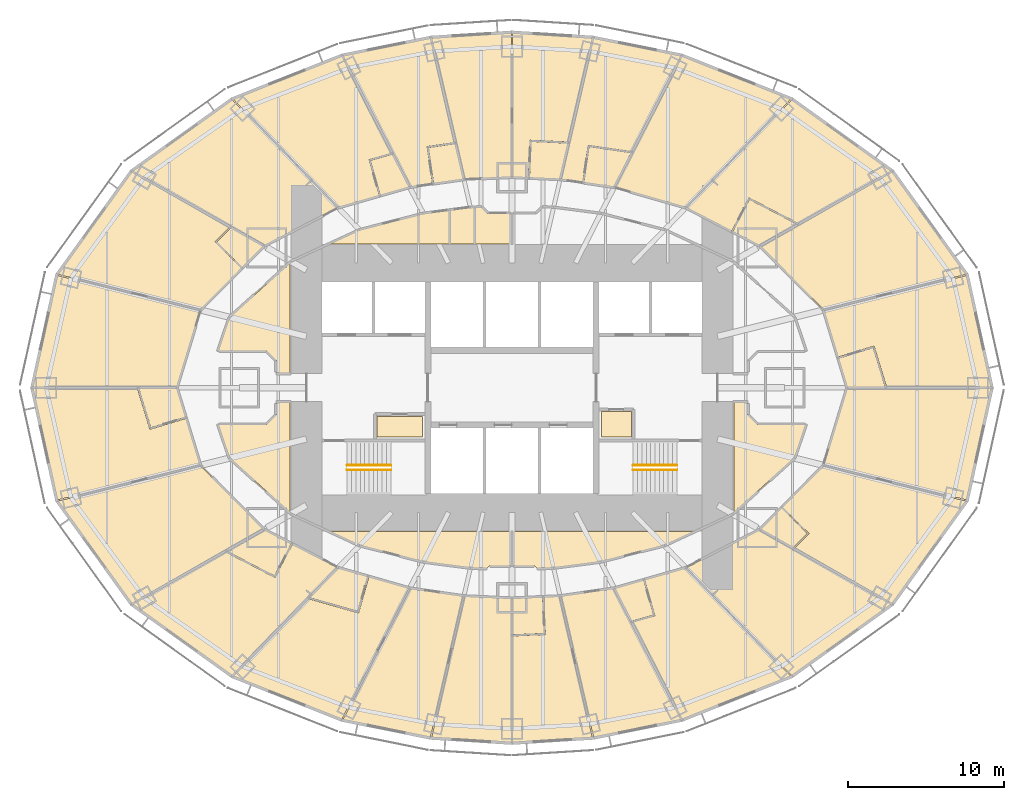
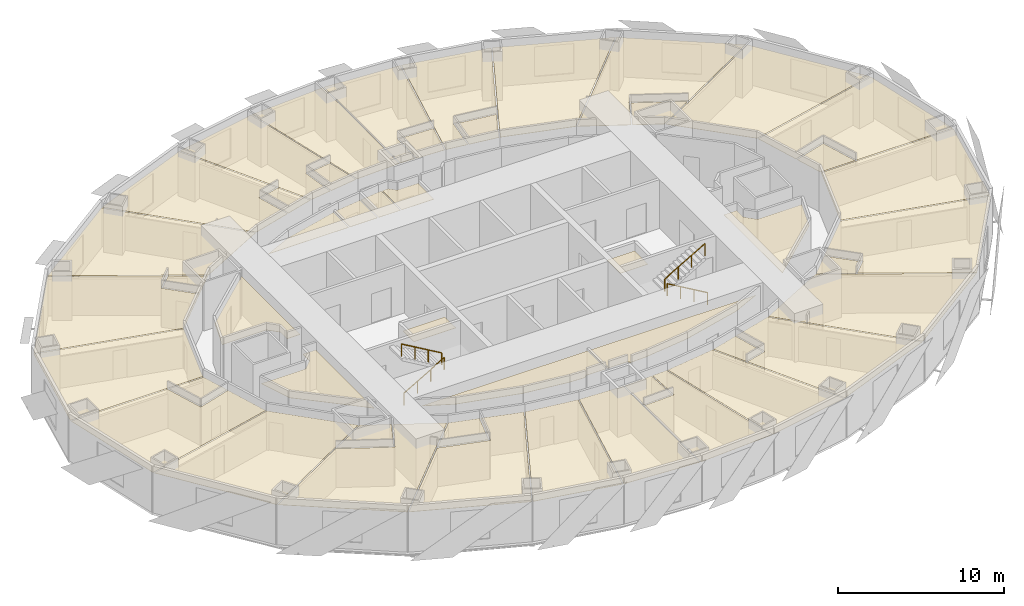
# One storey, part 15 of 15: 48 coverings, 4 railings.
"""IFC4 building model written with IfcOpenShell, lengths in metres."""

from ifc_helpers import new_model, si_unit, direction, frame, origin, origin_2d, place, context, subcontext, project, spatial, polyline, circle, outline, extrude, material, layer, layer_set, type_object, element, save


model = new_model("IFC4")

# Units and contexts
model_context = context("Model", 3, precision=1e-05, world=origin(), true_north=direction((0.0, 1.0)))
body_context = subcontext(model_context, "Body", "Model", "MODEL_VIEW")
ifc_project = project(units=[si_unit("LENGTHUNIT", "METRE"), si_unit("AREAUNIT", "SQUARE_METRE"), si_unit("VOLUMEUNIT", "CUBIC_METRE"), si_unit("PLANEANGLEUNIT", "RADIAN"), si_unit("MASSUNIT", "GRAM", prefix="KILO")], contexts=[model_context])

# Site, building, storey
site_placement = place(None, origin())
site = spatial("IfcSite", under=ifc_project, at=site_placement, CompositionType="ELEMENT")
building_placement = place(site_placement, origin())
building = spatial("IfcBuilding", under=site, at=building_placement, Name="Lantaw Convention Tower", CompositionType="ELEMENT")
storey_placement = place(building_placement, frame((0.0, 0.0, 55.0)))
storey = spatial("IfcBuildingStorey", under=building, at=storey_placement, Name="L11", CompositionType="ELEMENT", Elevation=55.0)

# Railings
ifc_material_1 = material(Name="Stainless steel", Category="steel")
railing_type = type_object("IfcRailingType", Name="Stair handrail", PredefinedType="HANDRAIL", material=ifc_material_1)
railing_1_placement = place(storey_placement, frame((-10.580078125, -5.280029296875, 0.16357421875)))
element("IfcRailing", 1, at=railing_1_placement, inside=storey, type_object=railing_type, Name="Stair handrail S1", PredefinedType="HANDRAIL", context=body_context, shape_type="SweptSolid", body=[
    extrude(circle(Radius=0.02392578125, at=origin_2d()), frame((0.0, 0.0, 0.8759765625), z_axis=(0.863360870873, 0.0, 0.504586966384), x_axis=(0.0, 1.0, 0.0)), (0.0, 0.0, 1.0), 3.2431640625),
    extrude(circle(Radius=0.02099609375, at=origin_2d()), origin(), (0.0, 0.0, 1.0), 0.851806640625),
    extrude(circle(Radius=0.02099609375, at=origin_2d()), frame((0.933349609375, 0.0, 0.54541015625)), (0.0, 0.0, 1.0), 0.851806640625),
    extrude(circle(Radius=0.02099609375, at=origin_2d()), frame((1.86669921875, 0.0, 1.091064453125)), (0.0, 0.0, 1.0), 0.851806640625),
    extrude(circle(Radius=0.02099609375, at=origin_2d()), frame((2.800048828125, 0.0, 1.636474609375)), (0.0, 0.0, 1.0), 0.851806640625),
])
for number, where, name in (
    (2, (-7.780029296875, -4.97998046875, 1.963623046875), "Stair handrail S1"),
    (3, (10.580078125, -5.280029296875, 0.16357421875), "Stair handrail S2"),
):
    element("IfcRailing", number, at=place(storey_placement, frame(where)), inside=storey, type_object=railing_type, Name=name, PredefinedType="HANDRAIL", context=body_context, shape_type="SweptSolid", body=[
        extrude(circle(Radius=0.02392578125, at=origin_2d()), frame((0.0, 0.0, 0.8759765625), z_axis=(-0.863360870873, 0.0, 0.504586966384), x_axis=(0.0, -1.0, 0.0)), (0.0, 0.0, 1.0), 3.2431640625),
        extrude(circle(Radius=0.02099609375, at=origin_2d()), origin(), (0.0, 0.0, 1.0), 0.851806640625),
        extrude(circle(Radius=0.02099609375, at=origin_2d()), frame((-0.933349609375, 0.0, 0.54541015625)), (0.0, 0.0, 1.0), 0.851806640625),
        extrude(circle(Radius=0.02099609375, at=origin_2d()), frame((-1.86669921875, 0.0, 1.091064453125)), (0.0, 0.0, 1.0), 0.851806640625),
        extrude(circle(Radius=0.02099609375, at=origin_2d()), frame((-2.800048828125, 0.0, 1.636474609375)), (0.0, 0.0, 1.0), 0.851806640625),
    ])
railing_2_placement = place(storey_placement, frame((7.780029296875, -4.97998046875, 1.963623046875)))
element("IfcRailing", 4, at=railing_2_placement, inside=storey, type_object=railing_type, Name="Stair handrail S2", PredefinedType="HANDRAIL", context=body_context, shape_type="SweptSolid", body=[
    extrude(circle(Radius=0.02392578125, at=origin_2d()), frame((0.0, 0.0, 0.8759765625), z_axis=(0.863360870873, 0.0, 0.504586966384), x_axis=(0.0, 1.0, 0.0)), (0.0, 0.0, 1.0), 3.2431640625),
    extrude(circle(Radius=0.02099609375, at=origin_2d()), origin(), (0.0, 0.0, 1.0), 0.851806640625),
    extrude(circle(Radius=0.02099609375, at=origin_2d()), frame((0.933349609375, 0.0, 0.54541015625)), (0.0, 0.0, 1.0), 0.851806640625),
    extrude(circle(Radius=0.02099609375, at=origin_2d()), frame((1.86669921875, 0.0, 1.091064453125)), (0.0, 0.0, 1.0), 0.851806640625),
    extrude(circle(Radius=0.02099609375, at=origin_2d()), frame((2.800048828125, 0.0, 1.636474609375)), (0.0, 0.0, 1.0), 0.851806640625),
])

# Coverings
ifc_material_2 = material(Name="Gypsum board on steel suspension grid", Category="steel")
ifc_layer = layer(ifc_material_2, 0.02001953125)
ifc_layer_set = layer_set([ifc_layer], Name="Suspended ceiling")
covering_type = type_object("IfcCoveringType", Name="Suspended ceiling", PredefinedType="CEILING", material=ifc_layer_set)
covering_1_placement = place(storey_placement, frame((0.0, 0.0, 2.85009765625)))
element("IfcCovering", 5, at=covering_1_placement, inside=storey, type_object=covering_type, Name="IT and comms room ceiling", PredefinedType="CEILING", context=body_context, shape_type="SweptSolid", body=[
    extrude(outline(polyline([(-8.659912109375, -3.159912109375), (-5.739990234375, -3.159912109375), (-5.739990234375, -1.840087890625), (-8.659912109375, -1.840087890625), (-8.659912109375, -3.159912109375)])), origin(), (0.0, 0.0, 1.0), 0.02001953125),
])
covering_2_placement = place(storey_placement, frame((0.0, 0.0, 2.85009765625)))
element("IfcCovering", 6, at=covering_2_placement, inside=storey, type_object=covering_type, Name="Staff WC ceiling", PredefinedType="CEILING", context=body_context, shape_type="SweptSolid", body=[
    extrude(outline(polyline([(5.739990234375, -3.159912109375), (7.659912109375, -3.159912109375), (7.659912109375, -1.5400390625), (5.739990234375, -1.5400390625), (5.739990234375, -3.159912109375)])), origin(), (0.0, 0.0, 1.0), 0.02001953125),
])
covering_3_placement = place(storey_placement, frame((0.0, 0.0, 2.85009765625)))
element("IfcCovering", 7, at=covering_3_placement, inside=storey, type_object=covering_type, Name="Housekeeping room ceiling", PredefinedType="CEILING", context=body_context, shape_type="SweptSolid", body=[
    extrude(outline(polyline([(-14.239990234375, 0.93994140625), (-14.239990234375, 8.0185546875), (-18.129638671875, 4.506103515625), (-18.855712890625, 2.364990234375), (-15.7587890625, 2.364990234375), (-15.135009765625, 1.7412109375), (-15.135009765625, 0.93994140625), (-14.239990234375, 0.93994140625)])), origin(), (0.0, 0.0, 1.0), 0.02001953125),
])
covering_4_placement = place(storey_placement, frame((0.0, 0.0, 2.85009765625)))
element("IfcCovering", 8, at=covering_4_placement, inside=storey, type_object=covering_type, Name="Accessible WC ceiling", PredefinedType="CEILING", context=body_context, shape_type="SweptSolid", body=[
    extrude(outline(polyline([(-0.114990234375, 9.239990234375), (-0.114990234375, 11.175048828125), (-1.548828125, 11.175048828125), (-1.95458984375, 11.580810546875), (-2.360107421875, 11.564208984375), (-2.360107421875, 9.239990234375), (-0.114990234375, 9.239990234375)])), origin(), (0.0, 0.0, 1.0), 0.02001953125),
])
covering_5_placement = place(storey_placement, frame((0.0, 0.0, 2.85009765625)))
element("IfcCovering", 9, at=covering_5_placement, inside=storey, type_object=covering_type, Name="Staff WC ceiling", PredefinedType="CEILING", context=body_context, shape_type="SweptSolid", body=[
    extrude(outline(polyline([(-2.43994140625, 11.56103515625), (-2.672607421875, 11.5517578125), (-3.9599609375, 11.384765625), (-3.9599609375, 9.239990234375), (-2.43994140625, 9.239990234375), (-2.43994140625, 11.56103515625)])), origin(), (0.0, 0.0, 1.0), 0.02001953125),
])
covering_6_placement = place(storey_placement, frame((0.0, 0.0, 2.85009765625)))
element("IfcCovering", 10, at=covering_6_placement, inside=storey, type_object=covering_type, Name="Housekeeping pantry ceiling", PredefinedType="CEILING", context=body_context, shape_type="SweptSolid", body=[
    extrude(outline(polyline([(-5.9599609375, 9.239990234375), (-4.0400390625, 9.239990234375), (-4.0400390625, 11.374267578125), (-5.6982421875, 11.1591796875), (-5.9599609375, 11.092041015625), (-5.9599609375, 9.239990234375)])), origin(), (0.0, 0.0, 1.0), 0.02001953125),
])
covering_7_placement = place(storey_placement, frame((0.0, 0.0, 2.85009765625)))
element("IfcCovering", 11, at=covering_7_placement, inside=storey, type_object=covering_type, Name="Housekeeping room ceiling", PredefinedType="CEILING", context=body_context, shape_type="SweptSolid", body=[
    extrude(outline(polyline([(-9.78759765625, 10.111328125), (-11.66748046875, 9.239990234375), (-6.050048828125, 9.239990234375), (-6.050048828125, 11.069091796875), (-9.78759765625, 10.111328125)])), origin(), (0.0, 0.0, 1.0), 0.02001953125),
])
covering_8_placement = place(storey_placement, frame((0.0, 0.0, 2.85009765625)))
element("IfcCovering", 12, at=covering_8_placement, inside=storey, type_object=covering_type, Name="Staff room ceiling", PredefinedType="CEILING", context=body_context, shape_type="SweptSolid", body=[
    extrude(outline(polyline([(-14.239990234375, -8.0185546875), (-14.239990234375, -0.93994140625), (-15.135009765625, -0.93994140625), (-15.135009765625, -1.7412109375), (-15.7587890625, -2.364990234375), (-18.855712890625, -2.364990234375), (-18.129638671875, -4.506103515625), (-14.239990234375, -8.0185546875)])), origin(), (0.0, 0.0, 1.0), 0.02001953125),
])
covering_9_placement = place(storey_placement, frame((0.0, 0.0, 2.85009765625)))
element("IfcCovering", 13, at=covering_9_placement, inside=storey, type_object=covering_type, Name="Staff room ceiling", PredefinedType="CEILING", context=body_context, shape_type="SweptSolid", body=[
    extrude(outline(polyline([(-5.6982421875, -11.1591796875), (-2.672607421875, -11.5517578125), (-1.601318359375, -11.594970703125), (-1.441162109375, -11.43505859375), (-0.0400390625, -11.43505859375), (-0.0400390625, -9.239990234375), (-11.66748046875, -9.239990234375), (-9.78759765625, -10.111328125), (-5.6982421875, -11.1591796875)])), origin(), (0.0, 0.0, 1.0), 0.02001953125),
])
covering_10_placement = place(storey_placement, frame((0.0, 0.0, 2.85009765625)))
element("IfcCovering", 14, at=covering_10_placement, inside=storey, type_object=covering_type, Name="Room service pantry ceiling", PredefinedType="CEILING", context=body_context, shape_type="SweptSolid", body=[
    extrude(outline(polyline([(14.239990234375, -0.93994140625), (14.239990234375, -8.0185546875), (18.129638671875, -4.506103515625), (18.855712890625, -2.364990234375), (15.7587890625, -2.364990234375), (15.135009765625, -1.7412109375), (15.135009765625, -0.93994140625), (14.239990234375, -0.93994140625)])), origin(), (0.0, 0.0, 1.0), 0.02001953125),
])
covering_11_placement = place(storey_placement, frame((0.0, 0.0, 2.85009765625)))
element("IfcCovering", 15, at=covering_11_placement, inside=storey, type_object=covering_type, Name="Room service pantry ceiling", PredefinedType="CEILING", context=body_context, shape_type="SweptSolid", body=[
    extrude(outline(polyline([(1.601318359375, -11.594970703125), (2.672607421875, -11.5517578125), (5.6982421875, -11.1591796875), (9.78759765625, -10.111328125), (11.66748046875, -9.239990234375), (0.0400390625, -9.239990234375), (0.0400390625, -11.43505859375), (1.441162109375, -11.43505859375), (1.601318359375, -11.594970703125)])), origin(), (0.0, 0.0, 1.0), 0.02001953125),
])
covering_12_placement = place(storey_placement, frame((0.0, 0.0, 2.85009765625)))
element("IfcCovering", 16, at=covering_12_placement, inside=storey, type_object=covering_type, Name="Suite bathroom ceiling", PredefinedType="CEILING", context=body_context, shape_type="SweptSolid", body=[
    extrude(outline(polyline([(21.529541015625, 0.0400390625), (23.954833984375, 0.0400390625), (23.1865234375, 2.562744140625), (20.967041015625, 1.886474609375), (21.529541015625, 0.0400390625)])), origin(), (0.0, 0.0, 1.0), 0.02001953125),
])
covering_13_placement = place(storey_placement, frame((0.0, 0.0, 2.85009765625)))
element("IfcCovering", 17, at=covering_13_placement, inside=storey, type_object=covering_type, Name="Suite bedroom ceiling", PredefinedType="CEILING", context=body_context, shape_type="SweptSolid", body=[
    extrude(outline(polyline([(29.191650390625, 7.205078125), (20.032958984375, 4.953369140625), (20.940185546875, 1.974609375), (23.24755859375, 2.677490234375), (24.051025390625, 0.0400390625), (30.77099609375, 0.0400390625), (29.191650390625, 7.205078125)])), origin(), (0.0, 0.0, 1.0), 0.02001953125),
])
covering_14_placement = place(storey_placement, frame((0.0, 0.0, 2.85009765625)))
element("IfcCovering", 18, at=covering_14_placement, inside=storey, type_object=covering_type, Name="Suite living room ceiling", PredefinedType="CEILING", context=body_context, shape_type="SweptSolid", body=[
    extrude(outline(polyline([(19.99462890625, 5.0263671875), (29.155029296875, 7.2783203125), (24.423095703125, 13.856201171875), (15.966552734375, 9.077392578125), (19.99462890625, 5.0263671875)])), origin(), (0.0, 0.0, 1.0), 0.02001953125),
])
covering_15_placement = place(storey_placement, frame((0.0, 0.0, 2.85009765625)))
element("IfcCovering", 19, at=covering_15_placement, inside=storey, type_object=covering_type, Name="Suite bathroom ceiling", PredefinedType="CEILING", context=body_context, shape_type="SweptSolid", body=[
    extrude(outline(polyline([(15.900146484375, 9.1318359375), (18.2998046875, 10.503173828125), (15.24365234375, 12.082763671875), (14.17822265625, 10.02197265625), (15.900146484375, 9.1318359375)])), origin(), (0.0, 0.0, 1.0), 0.02001953125),
])
covering_16_placement = place(storey_placement, frame((0.0, 0.0, 2.85009765625)))
element("IfcCovering", 20, at=covering_16_placement, inside=storey, type_object=covering_type, Name="Suite bedroom ceiling", PredefinedType="CEILING", context=body_context, shape_type="SweptSolid", body=[
    extrude(outline(polyline([(11.2138671875, 11.554443359375), (14.107177734375, 10.05859375), (15.20947265625, 12.190673828125), (18.39697265625, 10.542724609375), (24.3603515625, 13.912841796875), (17.97509765625, 18.4892578125), (11.2138671875, 11.554443359375)])), origin(), (0.0, 0.0, 1.0), 0.02001953125),
])
covering_17_placement = place(storey_placement, frame((0.0, 0.0, 2.85009765625)))
element("IfcCovering", 21, at=covering_17_placement, inside=storey, type_object=covering_type, Name="Suite living room ceiling", PredefinedType="CEILING", context=body_context, shape_type="SweptSolid", body=[
    extrude(outline(polyline([(11.135498046875, 11.588623046875), (17.89990234375, 18.526611328125), (10.930908203125, 21.294921875), (6.609375, 12.883056640625), (11.135498046875, 11.588623046875)])), origin(), (0.0, 0.0, 1.0), 0.02001953125),
])
covering_18_placement = place(storey_placement, frame((0.0, 0.0, 2.85009765625)))
element("IfcCovering", 22, at=covering_18_placement, inside=storey, type_object=covering_type, Name="Guest bathroom ceiling", PredefinedType="CEILING", context=body_context, shape_type="SweptSolid", body=[
    extrude(outline(polyline([(6.52880859375, 12.901611328125), (7.64111328125, 15.084716796875), (4.9501953125, 15.474609375), (4.617431640625, 13.1787109375), (6.52880859375, 12.901611328125)])), origin(), (0.0, 0.0, 1.0), 0.02001953125),
])
covering_19_placement = place(storey_placement, frame((0.0, 0.0, 2.85009765625)))
element("IfcCovering", 23, at=covering_19_placement, inside=storey, type_object=covering_type, Name="Guest room ceiling", PredefinedType="CEILING", context=body_context, shape_type="SweptSolid", body=[
    extrude(outline(polyline([(3.13330078125, 13.393798828125), (4.538330078125, 13.190185546875), (4.882568359375, 15.565185546875), (7.6884765625, 15.15869140625), (10.852294921875, 21.31689453125), (5.240966796875, 22.448974609375), (3.13330078125, 13.393798828125)])), origin(), (0.0, 0.0, 1.0), 0.02001953125),
])
covering_20_placement = place(storey_placement, frame((0.0, 0.0, 2.85009765625)))
element("IfcCovering", 24, at=covering_20_placement, inside=storey, type_object=covering_type, Name="Suite bathroom ceiling", PredefinedType="CEILING", context=body_context, shape_type="SweptSolid", body=[
    extrude(outline(polyline([(3.052978515625, 13.40185546875), (3.58349609375, 15.7001953125), (1.233154296875, 15.806640625), (1.128173828125, 13.489013671875), (3.052978515625, 13.40185546875)])), origin(), (0.0, 0.0, 1.0), 0.02001953125),
])
covering_21_placement = place(storey_placement, frame((0.0, 0.0, 2.85009765625)))
element("IfcCovering", 25, at=covering_21_placement, inside=storey, type_object=covering_type, Name="Suite bedroom ceiling", PredefinedType="CEILING", context=body_context, shape_type="SweptSolid", body=[
    extrude(outline(polyline([(0.0400390625, 13.538330078125), (1.04833984375, 13.49267578125), (1.156982421875, 15.89013671875), (3.6064453125, 15.779296875), (5.1611328125, 22.458984375), (0.0400390625, 22.781982421875), (0.0400390625, 13.538330078125)])), origin(), (0.0, 0.0, 1.0), 0.02001953125),
])
covering_22_placement = place(storey_placement, frame((0.0, 0.0, 2.85009765625)))
element("IfcCovering", 26, at=covering_22_placement, inside=storey, type_object=covering_type, Name="Suite living room ceiling", PredefinedType="CEILING", context=body_context, shape_type="SweptSolid", body=[
    extrude(outline(polyline([(-0.0400390625, 13.538330078125), (-0.0400390625, 22.781982421875), (-5.1611328125, 22.458984375), (-3.052978515625, 13.40185546875), (-0.0400390625, 13.538330078125)])), origin(), (0.0, 0.0, 1.0), 0.02001953125),
])
covering_23_placement = place(storey_placement, frame((0.0, 0.0, 2.85009765625)))
element("IfcCovering", 27, at=covering_23_placement, inside=storey, type_object=covering_type, Name="Guest bathroom ceiling", PredefinedType="CEILING", context=body_context, shape_type="SweptSolid", body=[
    extrude(outline(polyline([(-3.13330078125, 13.393798828125), (-3.656982421875, 15.662109375), (-5.362548828125, 15.414794921875), (-5.030029296875, 13.118896484375), (-3.13330078125, 13.393798828125)])), origin(), (0.0, 0.0, 1.0), 0.02001953125),
])
covering_24_placement = place(storey_placement, frame((0.0, 0.0, 2.85009765625)))
element("IfcCovering", 28, at=covering_24_placement, inside=storey, type_object=covering_type, Name="Guest room ceiling", PredefinedType="CEILING", context=body_context, shape_type="SweptSolid", body=[
    extrude(outline(polyline([(-6.529052734375, 12.901611328125), (-5.109130859375, 13.107421875), (-5.453369140625, 15.482666015625), (-3.679443359375, 15.73974609375), (-5.240966796875, 22.448974609375), (-10.852294921875, 21.31689453125), (-6.529052734375, 12.901611328125)])), origin(), (0.0, 0.0, 1.0), 0.02001953125),
])
covering_25_placement = place(storey_placement, frame((0.0, 0.0, 2.85009765625)))
element("IfcCovering", 29, at=covering_25_placement, inside=storey, type_object=covering_type, Name="Suite bathroom ceiling", PredefinedType="CEILING", context=body_context, shape_type="SweptSolid", body=[
    extrude(outline(polyline([(-6.609130859375, 12.883056640625), (-7.682373046875, 14.9892578125), (-9.084716796875, 14.588134765625), (-8.447021484375, 12.357421875), (-6.609130859375, 12.883056640625)])), origin(), (0.0, 0.0, 1.0), 0.02001953125),
])
covering_26_placement = place(storey_placement, frame((0.0, 0.0, 2.85009765625)))
element("IfcCovering", 30, at=covering_26_placement, inside=storey, type_object=covering_type, Name="Suite bedroom ceiling", PredefinedType="CEILING", context=body_context, shape_type="SweptSolid", body=[
    extrude(outline(polyline([(-11.135498046875, 11.588623046875), (-8.52392578125, 12.33544921875), (-9.18359375, 14.64306640625), (-7.7275390625, 15.0595703125), (-10.930908203125, 21.294921875), (-17.89990234375, 18.526611328125), (-11.135498046875, 11.588623046875)])), origin(), (0.0, 0.0, 1.0), 0.02001953125),
])
covering_27_placement = place(storey_placement, frame((0.0, 0.0, 2.85009765625)))
element("IfcCovering", 31, at=covering_27_placement, inside=storey, type_object=covering_type, Name="Suite living room ceiling", PredefinedType="CEILING", context=body_context, shape_type="SweptSolid", body=[
    extrude(outline(polyline([(-11.2138671875, 11.554443359375), (-17.97509765625, 18.4892578125), (-24.3603515625, 13.912841796875), (-15.900146484375, 9.1318359375), (-11.2138671875, 11.554443359375)])), origin(), (0.0, 0.0, 1.0), 0.02001953125),
])
covering_28_placement = place(storey_placement, frame((0.0, 0.0, 2.85009765625)))
element("IfcCovering", 32, at=covering_28_placement, inside=storey, type_object=covering_type, Name="Suite bathroom ceiling", PredefinedType="CEILING", context=body_context, shape_type="SweptSolid", body=[
    extrude(outline(polyline([(-15.96630859375, 9.07763671875), (-18.052490234375, 10.269775390625), (-18.95654296875, 9.360595703125), (-17.3115234375, 7.724853515625), (-15.96630859375, 9.07763671875)])), origin(), (0.0, 0.0, 1.0), 0.02001953125),
])
covering_29_placement = place(storey_placement, frame((0.0, 0.0, 2.85009765625)))
element("IfcCovering", 33, at=covering_29_placement, inside=storey, type_object=covering_type, Name="Suite bedroom ceiling", PredefinedType="CEILING", context=body_context, shape_type="SweptSolid", body=[
    extrude(outline(polyline([(-19.99462890625, 5.0263671875), (-17.367919921875, 7.66796875), (-19.06982421875, 9.3603515625), (-18.13330078125, 10.302001953125), (-24.423095703125, 13.856201171875), (-29.155029296875, 7.2783203125), (-19.99462890625, 5.0263671875)])), origin(), (0.0, 0.0, 1.0), 0.02001953125),
])
covering_30_placement = place(storey_placement, frame((0.0, 0.0, 2.85009765625)))
element("IfcCovering", 34, at=covering_30_placement, inside=storey, type_object=covering_type, Name="Suite living room ceiling", PredefinedType="CEILING", context=body_context, shape_type="SweptSolid", body=[
    extrude(outline(polyline([(-20.032958984375, 4.953369140625), (-29.191650390625, 7.205078125), (-30.77099609375, 0.0400390625), (-21.529541015625, 0.0400390625), (-20.032958984375, 4.953369140625)])), origin(), (0.0, 0.0, 1.0), 0.02001953125),
])
covering_31_placement = place(storey_placement, frame((0.0, 0.0, 2.85009765625)))
element("IfcCovering", 35, at=covering_31_placement, inside=storey, type_object=covering_type, Name="Suite bathroom ceiling", PredefinedType="CEILING", context=body_context, shape_type="SweptSolid", body=[
    extrude(outline(polyline([(-21.529541015625, -0.0400390625), (-23.954833984375, -0.0400390625), (-23.1865234375, -2.562744140625), (-20.967041015625, -1.886474609375), (-21.529541015625, -0.0400390625)])), origin(), (0.0, 0.0, 1.0), 0.02001953125),
])
covering_32_placement = place(storey_placement, frame((0.0, 0.0, 2.85009765625)))
element("IfcCovering", 36, at=covering_32_placement, inside=storey, type_object=covering_type, Name="Suite bedroom ceiling", PredefinedType="CEILING", context=body_context, shape_type="SweptSolid", body=[
    extrude(outline(polyline([(-20.032958984375, -4.953369140625), (-20.940185546875, -1.974609375), (-23.24755859375, -2.677490234375), (-24.051025390625, -0.0400390625), (-30.77099609375, -0.0400390625), (-29.191650390625, -7.205078125), (-20.032958984375, -4.953369140625)])), origin(), (0.0, 0.0, 1.0), 0.02001953125),
])
covering_33_placement = place(storey_placement, frame((0.0, 0.0, 2.85009765625)))
element("IfcCovering", 37, at=covering_33_placement, inside=storey, type_object=covering_type, Name="Suite living room ceiling", PredefinedType="CEILING", context=body_context, shape_type="SweptSolid", body=[
    extrude(outline(polyline([(-19.99462890625, -5.0263671875), (-29.155029296875, -7.2783203125), (-24.423095703125, -13.856201171875), (-15.966552734375, -9.077392578125), (-19.99462890625, -5.0263671875)])), origin(), (0.0, 0.0, 1.0), 0.02001953125),
])
covering_34_placement = place(storey_placement, frame((0.0, 0.0, 2.85009765625)))
element("IfcCovering", 38, at=covering_34_placement, inside=storey, type_object=covering_type, Name="Guest bathroom ceiling", PredefinedType="CEILING", context=body_context, shape_type="SweptSolid", body=[
    extrude(outline(polyline([(-15.900146484375, -9.1318359375), (-18.2998046875, -10.503173828125), (-15.24365234375, -12.082763671875), (-14.17822265625, -10.02197265625), (-15.900146484375, -9.1318359375)])), origin(), (0.0, 0.0, 1.0), 0.02001953125),
])
covering_35_placement = place(storey_placement, frame((0.0, 0.0, 2.85009765625)))
element("IfcCovering", 39, at=covering_35_placement, inside=storey, type_object=covering_type, Name="Guest room ceiling", PredefinedType="CEILING", context=body_context, shape_type="SweptSolid", body=[
    extrude(outline(polyline([(-18.39697265625, -10.542724609375), (-24.3603515625, -13.912841796875), (-17.97509765625, -18.4892578125), (-11.2138671875, -11.554443359375), (-14.107177734375, -10.05859375), (-15.20947265625, -12.190673828125), (-18.39697265625, -10.542724609375)])), origin(), (0.0, 0.0, 1.0), 0.02001953125),
])
covering_36_placement = place(storey_placement, frame((0.0, 0.0, 2.85009765625)))
element("IfcCovering", 40, at=covering_36_placement, inside=storey, type_object=covering_type, Name="Suite bathroom ceiling", PredefinedType="CEILING", context=body_context, shape_type="SweptSolid", body=[
    extrude(outline(polyline([(-11.135498046875, -11.588623046875), (-12.96142578125, -13.4794921875), (-9.911865234375, -14.3515625), (-9.274169921875, -12.12109375), (-11.135498046875, -11.588623046875)])), origin(), (0.0, 0.0, 1.0), 0.02001953125),
])
covering_37_placement = place(storey_placement, frame((0.0, 0.0, 2.85009765625)))
element("IfcCovering", 41, at=covering_37_placement, inside=storey, type_object=covering_type, Name="Suite bedroom ceiling", PredefinedType="CEILING", context=body_context, shape_type="SweptSolid", body=[
    extrude(outline(polyline([(-13.048095703125, -13.55029296875), (-17.89990234375, -18.526611328125), (-10.930908203125, -21.294921875), (-6.609375, -12.883056640625), (-9.185546875, -12.146240234375), (-9.848876953125, -14.46533203125), (-13.048095703125, -13.55029296875)])), origin(), (0.0, 0.0, 1.0), 0.02001953125),
])
covering_38_placement = place(storey_placement, frame((0.0, 0.0, 2.85009765625)))
element("IfcCovering", 42, at=covering_38_placement, inside=storey, type_object=covering_type, Name="Suite living room ceiling", PredefinedType="CEILING", context=body_context, shape_type="SweptSolid", body=[
    extrude(outline(polyline([(-6.529052734375, -12.901611328125), (-10.852294921875, -21.31689453125), (-5.240966796875, -22.448974609375), (-3.13330078125, -13.393798828125), (-6.529052734375, -12.901611328125)])), origin(), (0.0, 0.0, 1.0), 0.02001953125),
])
covering_39_placement = place(storey_placement, frame((0.0, 0.0, 2.85009765625)))
element("IfcCovering", 43, at=covering_39_placement, inside=storey, type_object=covering_type, Name="Suite kitchenette and dining room ceiling", PredefinedType="CEILING", context=body_context, shape_type="SweptSolid", body=[
    extrude(outline(polyline([(-3.052978515625, -13.40185546875), (-5.1611328125, -22.458984375), (-0.0400390625, -22.781982421875), (-0.0400390625, -13.538330078125), (-3.052978515625, -13.40185546875)])), origin(), (0.0, 0.0, 1.0), 0.02001953125),
])
covering_40_placement = place(storey_placement, frame((0.0, 0.0, 2.85009765625)))
element("IfcCovering", 44, at=covering_40_placement, inside=storey, type_object=covering_type, Name="Suite bathroom ceiling", PredefinedType="CEILING", context=body_context, shape_type="SweptSolid", body=[
    extrude(outline(polyline([(0.0400390625, -13.538330078125), (0.0400390625, -15.860595703125), (2.064697265625, -15.76904296875), (1.959716796875, -13.451416015625), (0.0400390625, -13.538330078125)])), origin(), (0.0, 0.0, 1.0), 0.02001953125),
])
covering_41_placement = place(storey_placement, frame((0.0, 0.0, 2.85009765625)))
element("IfcCovering", 45, at=covering_41_placement, inside=storey, type_object=covering_type, Name="Suite bedroom ceiling", PredefinedType="CEILING", context=body_context, shape_type="SweptSolid", body=[
    extrude(outline(polyline([(2.039794921875, -13.44775390625), (2.148193359375, -15.84521484375), (0.0400390625, -15.940673828125), (0.0400390625, -22.781982421875), (5.1611328125, -22.458984375), (3.052978515625, -13.40185546875), (2.039794921875, -13.44775390625)])), origin(), (0.0, 0.0, 1.0), 0.02001953125),
])
covering_42_placement = place(storey_placement, frame((0.0, 0.0, 2.85009765625)))
element("IfcCovering", 46, at=covering_42_placement, inside=storey, type_object=covering_type, Name="Suite living room ceiling", PredefinedType="CEILING", context=body_context, shape_type="SweptSolid", body=[
    extrude(outline(polyline([(3.13330078125, -13.393798828125), (5.240966796875, -22.448974609375), (10.852294921875, -21.31689453125), (6.529052734375, -12.901611328125), (3.13330078125, -13.393798828125)])), origin(), (0.0, 0.0, 1.0), 0.02001953125),
])
covering_43_placement = place(storey_placement, frame((0.0, 0.0, 2.85009765625)))
element("IfcCovering", 47, at=covering_43_placement, inside=storey, type_object=covering_type, Name="Suite bathroom ceiling", PredefinedType="CEILING", context=body_context, shape_type="SweptSolid", body=[
    extrude(outline(polyline([(6.609130859375, -12.883056640625), (7.682373046875, -14.9892578125), (9.084716796875, -14.588134765625), (8.447021484375, -12.357421875), (6.609130859375, -12.883056640625)])), origin(), (0.0, 0.0, 1.0), 0.02001953125),
])
covering_44_placement = place(storey_placement, frame((0.0, 0.0, 2.85009765625)))
element("IfcCovering", 48, at=covering_44_placement, inside=storey, type_object=covering_type, Name="Suite bedroom ceiling", PredefinedType="CEILING", context=body_context, shape_type="SweptSolid", body=[
    extrude(outline(polyline([(11.135498046875, -11.588623046875), (8.52392578125, -12.33544921875), (9.18359375, -14.64306640625), (7.7275390625, -15.0595703125), (10.930908203125, -21.294921875), (17.89990234375, -18.526611328125), (11.135498046875, -11.588623046875)])), origin(), (0.0, 0.0, 1.0), 0.02001953125),
])
covering_45_placement = place(storey_placement, frame((0.0, 0.0, 2.85009765625)))
element("IfcCovering", 49, at=covering_45_placement, inside=storey, type_object=covering_type, Name="Suite living room ceiling", PredefinedType="CEILING", context=body_context, shape_type="SweptSolid", body=[
    extrude(outline(polyline([(11.2138671875, -11.554443359375), (17.97509765625, -18.4892578125), (24.3603515625, -13.912841796875), (15.900146484375, -9.1318359375), (11.2138671875, -11.554443359375)])), origin(), (0.0, 0.0, 1.0), 0.02001953125),
])
covering_46_placement = place(storey_placement, frame((0.0, 0.0, 2.85009765625)))
element("IfcCovering", 50, at=covering_46_placement, inside=storey, type_object=covering_type, Name="Suite bathroom ceiling", PredefinedType="CEILING", context=body_context, shape_type="SweptSolid", body=[
    extrude(outline(polyline([(15.96630859375, -9.07763671875), (18.052490234375, -10.269775390625), (18.95654296875, -9.360595703125), (17.3115234375, -7.724853515625), (15.96630859375, -9.07763671875)])), origin(), (0.0, 0.0, 1.0), 0.02001953125),
])
covering_47_placement = place(storey_placement, frame((0.0, 0.0, 2.85009765625)))
element("IfcCovering", 51, at=covering_47_placement, inside=storey, type_object=covering_type, Name="Suite bedroom ceiling", PredefinedType="CEILING", context=body_context, shape_type="SweptSolid", body=[
    extrude(outline(polyline([(17.367919921875, -7.66796875), (19.06982421875, -9.3603515625), (18.13330078125, -10.302001953125), (24.423095703125, -13.856201171875), (29.155029296875, -7.2783203125), (19.99462890625, -5.0263671875), (17.367919921875, -7.66796875)])), origin(), (0.0, 0.0, 1.0), 0.02001953125),
])
covering_48_placement = place(storey_placement, frame((0.0, 0.0, 2.85009765625)))
element("IfcCovering", 52, at=covering_48_placement, inside=storey, type_object=covering_type, Name="Suite living room ceiling", PredefinedType="CEILING", context=body_context, shape_type="SweptSolid", body=[
    extrude(outline(polyline([(20.032958984375, -4.953369140625), (29.191650390625, -7.205078125), (30.77099609375, -0.0400390625), (21.529541015625, -0.0400390625), (20.032958984375, -4.953369140625)])), origin(), (0.0, 0.0, 1.0), 0.02001953125),
])

save(model, "model.ifc")
